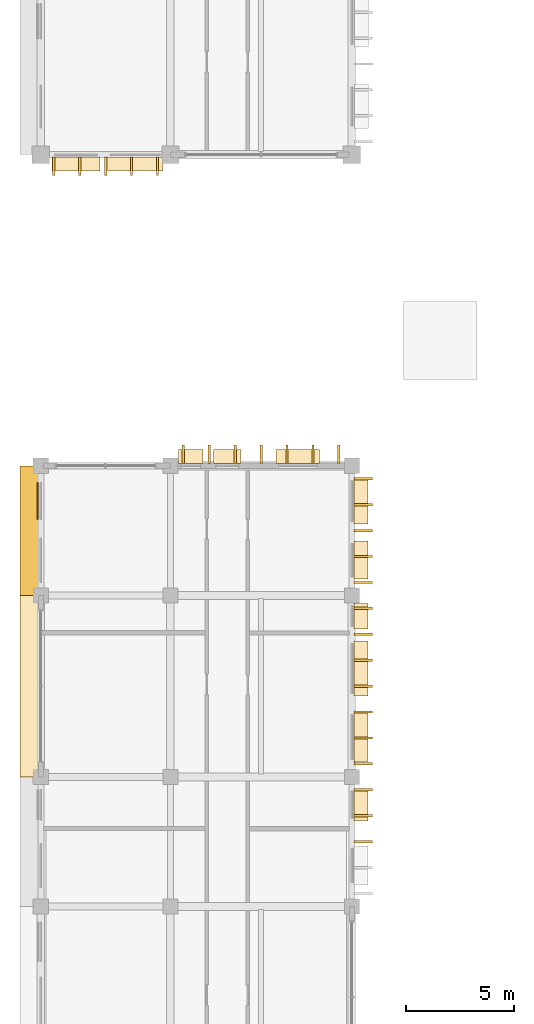
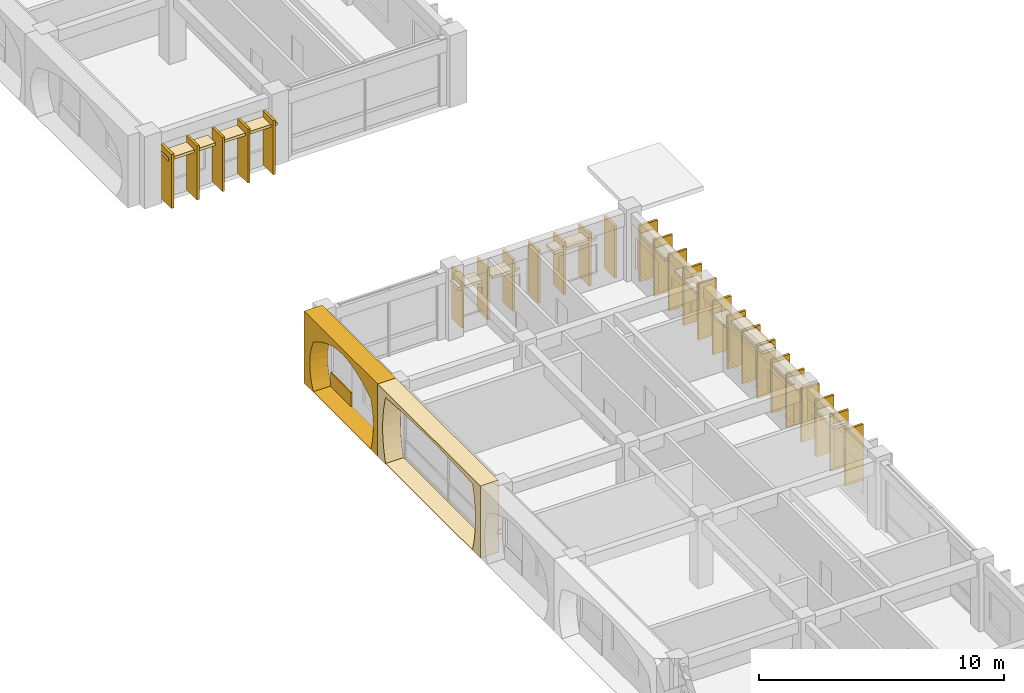
# One storey, part 72 of 88: 41 coverings.
"""IFC4 building model written with IfcOpenShell, lengths in metres."""

from ifc_helpers import new_model, si_unit, direction, frame, origin, origin_2d, place, context, subcontext, project, spatial, polyline, rectangle, outline, extrude, material, layer, layer_set, type_object, element, save


model = new_model("IFC4")

# Units and contexts
model_context = context("Model", 3, precision=1e-05, world=origin(), true_north=direction((0.0, 1.0)))
body_context = subcontext(model_context, "Body", "Model", "MODEL_VIEW")
ifc_project = project(units=[si_unit("LENGTHUNIT", "METRE"), si_unit("AREAUNIT", "SQUARE_METRE"), si_unit("VOLUMEUNIT", "CUBIC_METRE"), si_unit("PLANEANGLEUNIT", "RADIAN"), si_unit("MASSUNIT", "GRAM", prefix="KILO"), si_unit("THERMODYNAMICTEMPERATUREUNIT", "KELVIN")], contexts=[model_context])

# Site, building, storey
site_placement = place(None, origin())
site = spatial("IfcSite", under=ifc_project, at=site_placement, CompositionType="ELEMENT")
building_placement = place(site_placement, origin())
building = spatial("IfcBuilding", under=site, at=building_placement, Name="Thalorik Housing Commons", CompositionType="ELEMENT")
storey_placement = place(building_placement, frame((0.0, 0.0, 4.5)))
storey = spatial("IfcBuildingStorey", under=building, at=storey_placement, Name="L01", CompositionType="ELEMENT", Elevation=4.5)

# Coverings
ifc_material_1 = material(Name="Cobalt blue glazed ceramic facade tile panel", Category="masonry")
ifc_layer_1 = layer(ifc_material_1, 0.06005859375, Name="Cobalt blue glazed ceramic facade tile panel", Category="masonry")
ifc_layer_set_1 = layer_set([ifc_layer_1], Name="Cobalt blue glazed ceramic facade tile panel")
covering_type_1 = type_object("IfcCoveringType", Name="ARC-CLD-BLU-60", PredefinedType="CLADDING", material=ifc_layer_set_1)
covering_1_placement = place(storey_placement, frame((8.262451171875, 55.969970703125, 0.0498046875), z_axis=(0.0, 0.0, 1.0), x_axis=(0.0, -1.0, 0.0)))
element("IfcCovering", 1, at=covering_1_placement, inside=storey, type_object=covering_type_1, Name="L01 De Stijl Recessed Window Spandrel 3472", PredefinedType="CLADDING", context=body_context, shape_type="SweptSolid", body=[
    extrude(rectangle(XDim=1.679931640625, YDim=0.06005859375, at=origin_2d()), origin(), (0.0, 0.0, 1.0), 0.699951171875),
])
ifc_material_2 = material(Name="Precast concrete C40/50", Category="concrete")
ifc_layer_2 = layer(ifc_material_2, 0.85009765625, Name="Precast concrete C40/50", Category="concrete")
ifc_layer_set_2 = layer_set([ifc_layer_2], Name="Precast concrete C40/50")
covering_type_2 = type_object("IfcCoveringType", Name="ARC-CLD-CUSH-850", PredefinedType="CLADDING", material=ifc_layer_set_2)
covering_2_placement = place(storey_placement, frame((7.87255859375, 54.60009765625, 0.0), z_axis=(0.0, 0.0, 1.0), x_axis=(0.0, -1.0, 0.0)))
element("IfcCovering", 2, at=covering_2_placement, inside=storey, type_object=covering_type_2, Name="L01 White Precast Curved Cushion Bay Frame 3471", PredefinedType="CLADDING", context=body_context, shape_type="SweptSolid", body=[
    extrude(outline(polyline([(-3.0, 0.0), (3.0, 0.0), (3.0, 3.60009765625), (-3.0, 3.60009765625), (-3.0, 0.0)]), holes=[polyline([(2.43994140625, 0.02490234375), (2.55810546875, 0.4375), (2.629150390625, 0.85009765625), (2.65283203125, 1.262451171875), (2.629150390625, 1.675048828125), (2.55810546875, 2.08740234375), (2.43994140625, 2.5), (2.04833984375, 2.755615234375), (1.65673828125, 2.956298828125), (1.264892578125, 3.119140625), (0.873291015625, 3.239990234375), (0.481689453125, 3.314697265625), (0.090087890625, 3.340087890625), (-0.3017578125, 3.314697265625), (-0.693359375, 3.239990234375), (-1.0849609375, 3.119140625), (-1.476806640625, 2.956298828125), (-1.868408203125, 2.755615234375), (-2.260009765625, 2.5), (-2.421142578125, 2.08740234375), (-2.517822265625, 1.675048828125), (-2.550048828125, 1.262451171875), (-2.517822265625, 0.85009765625), (-2.421142578125, 0.4375), (-2.260009765625, 0.02490234375), (2.43994140625, 0.02490234375)])]), frame((0.0, 0.425048828125, 0.0), z_axis=(0.0, -1.0, 0.0), x_axis=(1.0, 0.0, 0.0)), (0.0, 0.0, 1.0), 0.85009765625),
])
covering_3_placement = place(storey_placement, frame((7.87255859375, 47.39990234375, 0.0), z_axis=(0.0, 0.0, 1.0), x_axis=(0.0, -1.0, 0.0)))
element("IfcCovering", 3, at=covering_3_placement, inside=storey, type_object=covering_type_2, Name="L01 White Precast Curved Cushion Bay Frame 3473", PredefinedType="CLADDING", context=body_context, shape_type="SweptSolid", body=[
    extrude(outline(polyline([(-4.199951171875, 0.0), (4.199951171875, 0.0), (4.199951171875, 3.60009765625), (-4.199951171875, 3.60009765625), (-4.199951171875, 0.0)]), holes=[polyline([(3.550048828125, 0.02490234375), (3.687255859375, 0.57421875), (3.76953125, 1.123291015625), (3.797119140625, 1.672607421875), (3.76953125, 2.2216796875), (3.687255859375, 2.770751953125), (3.550048828125, 3.320068359375), (2.958251953125, 3.362548828125), (2.36669921875, 3.39599609375), (1.77490234375, 3.423095703125), (1.183349609375, 3.443359375), (0.591796875, 3.455810546875), (0.0, 3.4599609375), (-0.591796875, 3.455810546875), (-1.183349609375, 3.443359375), (-1.77490234375, 3.423095703125), (-2.36669921875, 3.39599609375), (-2.958251953125, 3.362548828125), (-3.550048828125, 3.320068359375), (-3.687255859375, 2.770751953125), (-3.76953125, 2.2216796875), (-3.797119140625, 1.672607421875), (-3.76953125, 1.123291015625), (-3.687255859375, 0.57421875), (-3.550048828125, 0.02490234375), (3.550048828125, 0.02490234375)])]), frame((0.0, 0.425048828125, 0.0), z_axis=(0.0, -1.0, 0.0), x_axis=(1.0, 0.0, 0.0)), (0.0, 0.0, 1.0), 0.85009765625),
])
ifc_layer_3 = layer(ifc_material_2, 0.85009765625, Name="Precast concrete C40/50", Category="concrete")
ifc_layer_set_3 = layer_set([ifc_layer_3], Name="Precast concrete C40/50")
covering_type_3 = type_object("IfcCoveringType", Name="ARC-CLD-FIN-850", PredefinedType="CLADDING", material=ifc_layer_set_3)
for number, where, z_axis, x_axis, name in (
    (4, (9.0, 71.46240234375, 0.0400390625), (0.0, 0.0, 1.0), (1.0, 0.0, 0.0), "L01 Courtyard Precast Vertical Brise-Soleil Fin 81"),
    (5, (10.199951171875, 71.46240234375, 0.0400390625), (0.0, 0.0, 1.0), (1.0, 0.0, 0.0), "L01 Courtyard Precast Vertical Brise-Soleil Fin 82"),
    (6, (11.39990234375, 71.46240234375, 0.0400390625), (0.0, 0.0, 1.0), (1.0, 0.0, 0.0), "L01 Courtyard Precast Vertical Brise-Soleil Fin 83"),
    (7, (12.60009765625, 71.46240234375, 0.0400390625), (0.0, 0.0, 1.0), (1.0, 0.0, 0.0), "L01 Courtyard Precast Vertical Brise-Soleil Fin 84"),
    (8, (13.800048828125, 71.46240234375, 0.0400390625), (0.0, 0.0, 1.0), (1.0, 0.0, 0.0), "L01 Courtyard Precast Vertical Brise-Soleil Fin 85"),
):
    element("IfcCovering", number, at=place(storey_placement, frame(where, z_axis=z_axis, x_axis=x_axis)), inside=storey, type_object=covering_type_3, Name=name, PredefinedType="CLADDING", context=body_context, shape_type="SweptSolid", body=[
        extrude(rectangle(XDim=0.110107421875, YDim=0.85009765625, at=origin_2d()), origin(), (0.0, 0.0, 1.0), 2.695068359375),
    ])
for number, where, z_axis, x_axis, name in (
    (9, (23.327392578125, 40.199951171875, 0.0400390625), (0.0, 0.0, 1.0), (0.0, 1.0, 0.0), "L01 Courtyard Precast Vertical Brise-Soleil Fin 3439"),
    (10, (23.327392578125, 41.39990234375, 0.0400390625), (0.0, 0.0, 1.0), (0.0, 1.0, 0.0), "L01 Courtyard Precast Vertical Brise-Soleil Fin 3440"),
    (11, (23.327392578125, 42.60009765625, 0.0400390625), (0.0, 0.0, 1.0), (0.0, 1.0, 0.0), "L01 Courtyard Precast Vertical Brise-Soleil Fin 3441"),
):
    element("IfcCovering", number, at=place(storey_placement, frame(where, z_axis=z_axis, x_axis=x_axis)), inside=storey, type_object=covering_type_3, Name=name, PredefinedType="CLADDING", context=body_context, shape_type="SweptSolid", body=[
        extrude(rectangle(XDim=0.110107421875, YDim=0.85009765625, at=origin_2d()), origin(), (0.0, 0.0, 1.0), 2.794921875),
    ])
for number, where, z_axis, x_axis, name in (
    (12, (23.327392578125, 43.800048828125, 0.0400390625), (0.0, 0.0, 1.0), (0.0, 1.0, 0.0), "L01 Courtyard Precast Vertical Brise-Soleil Fin 3444"),
    (13, (23.327392578125, 45.0, 0.0400390625), (0.0, 0.0, 1.0), (0.0, 1.0, 0.0), "L01 Courtyard Precast Vertical Brise-Soleil Fin 3445"),
    (14, (23.327392578125, 46.199951171875, 0.0400390625), (0.0, 0.0, 1.0), (0.0, 1.0, 0.0), "L01 Courtyard Precast Vertical Brise-Soleil Fin 3446"),
    (15, (23.327392578125, 47.39990234375, 0.0400390625), (0.0, 0.0, 1.0), (0.0, 1.0, 0.0), "L01 Courtyard Precast Vertical Brise-Soleil Fin 3447"),
    (16, (23.327392578125, 48.60009765625, 0.0400390625), (0.0, 0.0, 1.0), (0.0, 1.0, 0.0), "L01 Courtyard Precast Vertical Brise-Soleil Fin 3448"),
    (17, (23.327392578125, 49.800048828125, 0.0400390625), (0.0, 0.0, 1.0), (0.0, 1.0, 0.0), "L01 Courtyard Precast Vertical Brise-Soleil Fin 3449"),
    (18, (23.327392578125, 51.0, 0.0400390625), (0.0, 0.0, 1.0), (0.0, 1.0, 0.0), "L01 Courtyard Precast Vertical Brise-Soleil Fin 3450"),
):
    element("IfcCovering", number, at=place(storey_placement, frame(where, z_axis=z_axis, x_axis=x_axis)), inside=storey, type_object=covering_type_3, Name=name, PredefinedType="CLADDING", context=body_context, shape_type="SweptSolid", body=[
        extrude(rectangle(XDim=0.110107421875, YDim=0.85009765625, at=origin_2d()), origin(), (0.0, 0.0, 1.0), 2.64501953125),
    ])
for number, where, z_axis, x_axis, name in (
    (19, (23.327392578125, 52.199951171875, 0.0400390625), (0.0, 0.0, 1.0), (0.0, 1.0, 0.0), "L01 Courtyard Precast Vertical Brise-Soleil Fin 3454"),
    (20, (23.327392578125, 53.39990234375, 0.0400390625), (0.0, 0.0, 1.0), (0.0, 1.0, 0.0), "L01 Courtyard Precast Vertical Brise-Soleil Fin 3455"),
    (21, (23.327392578125, 54.60009765625, 0.0400390625), (0.0, 0.0, 1.0), (0.0, 1.0, 0.0), "L01 Courtyard Precast Vertical Brise-Soleil Fin 3456"),
    (22, (23.327392578125, 55.800048828125, 0.0400390625), (0.0, 0.0, 1.0), (0.0, 1.0, 0.0), "L01 Courtyard Precast Vertical Brise-Soleil Fin 3457"),
    (23, (23.327392578125, 57.0, 0.0400390625), (0.0, 0.0, 1.0), (0.0, 1.0, 0.0), "L01 Courtyard Precast Vertical Brise-Soleil Fin 3458"),
):
    element("IfcCovering", number, at=place(storey_placement, frame(where, z_axis=z_axis, x_axis=x_axis)), inside=storey, type_object=covering_type_3, Name=name, PredefinedType="CLADDING", context=body_context, shape_type="SweptSolid", body=[
        extrude(rectangle(XDim=0.110107421875, YDim=0.85009765625, at=origin_2d()), origin(), (0.0, 0.0, 1.0), 2.794921875),
    ])
for number, where, z_axis, x_axis, name in (
    (24, (22.199951171875, 58.12744140625, 0.0400390625), (0.0, 0.0, 1.0), (-1.0, 0.0, 0.0), "L01 Courtyard Precast Vertical Brise-Soleil Fin 3461"),
    (25, (21.0, 58.12744140625, 0.0400390625), (0.0, 0.0, 1.0), (-1.0, 0.0, 0.0), "L01 Courtyard Precast Vertical Brise-Soleil Fin 3462"),
    (26, (19.800048828125, 58.12744140625, 0.0400390625), (0.0, 0.0, 1.0), (-1.0, 0.0, 0.0), "L01 Courtyard Precast Vertical Brise-Soleil Fin 3463"),
    (27, (18.60009765625, 58.12744140625, 0.0400390625), (0.0, 0.0, 1.0), (-1.0, 0.0, 0.0), "L01 Courtyard Precast Vertical Brise-Soleil Fin 3464"),
    (28, (17.39990234375, 58.12744140625, 0.0400390625), (0.0, 0.0, 1.0), (-1.0, 0.0, 0.0), "L01 Courtyard Precast Vertical Brise-Soleil Fin 3465"),
    (29, (16.199951171875, 58.12744140625, 0.0400390625), (0.0, 0.0, 1.0), (-1.0, 0.0, 0.0), "L01 Courtyard Precast Vertical Brise-Soleil Fin 3466"),
    (30, (15.0, 58.12744140625, 0.0400390625), (0.0, 0.0, 1.0), (-1.0, 0.0, 0.0), "L01 Courtyard Precast Vertical Brise-Soleil Fin 3467"),
):
    element("IfcCovering", number, at=place(storey_placement, frame(where, z_axis=z_axis, x_axis=x_axis)), inside=storey, type_object=covering_type_3, Name=name, PredefinedType="CLADDING", context=body_context, shape_type="SweptSolid", body=[
        extrude(rectangle(XDim=0.110107421875, YDim=0.85009765625, at=origin_2d()), origin(), (0.0, 0.0, 1.0), 2.594970703125),
    ])
ifc_layer_4 = layer(ifc_material_2, 0.64990234375, Name="Precast concrete C40/50", Category="concrete")
ifc_layer_set_4 = layer_set([ifc_layer_4], Name="Precast concrete C40/50")
covering_type_4 = type_object("IfcCoveringType", Name="ARC-CLD-HOOD-650", PredefinedType="CLADDING", material=ifc_layer_set_4)
covering_4_placement = place(storey_placement, frame((10.030029296875, 71.5625, 2.2900390625), z_axis=(0.0, 0.0, 1.0), x_axis=(1.0, 0.0, 0.0)))
element("IfcCovering", 31, at=covering_4_placement, inside=storey, type_object=covering_type_4, Name="L01 Courtyard Precast Window Sun-Hood 86", PredefinedType="CLADDING", context=body_context, shape_type="SweptSolid", body=[
    extrude(rectangle(XDim=2.219970703125, YDim=0.64990234375, at=origin_2d()), origin(), (0.0, 0.0, 1.0), 0.139892578125),
])
covering_5_placement = place(storey_placement, frame((12.77001953125, 71.5625, 2.2900390625), z_axis=(0.0, 0.0, 1.0), x_axis=(1.0, 0.0, 0.0)))
element("IfcCovering", 32, at=covering_5_placement, inside=storey, type_object=covering_type_4, Name="L01 Courtyard Precast Window Sun-Hood 87", PredefinedType="CLADDING", context=body_context, shape_type="SweptSolid", body=[
    extrude(rectangle(XDim=2.56005859375, YDim=0.64990234375, at=origin_2d()), origin(), (0.0, 0.0, 1.0), 0.139892578125),
])
covering_6_placement = place(storey_placement, frame((23.2275390625, 41.905029296875, 2.240234375), z_axis=(0.0, 0.0, 1.0), x_axis=(0.0, 1.0, 0.0)))
element("IfcCovering", 33, at=covering_6_placement, inside=storey, type_object=covering_type_4, Name="L01 Courtyard Precast Window Sun-Hood 3443", PredefinedType="CLADDING", context=body_context, shape_type="SweptSolid", body=[
    extrude(rectangle(XDim=1.489990234375, YDim=0.64990234375, at=origin_2d()), origin(), (0.0, 0.0, 1.0), 0.139892578125),
])
covering_7_placement = place(storey_placement, frame((23.2275390625, 45.044921875, 2.39013671875), z_axis=(0.0, 0.0, 1.0), x_axis=(0.0, 1.0, 0.0)))
element("IfcCovering", 34, at=covering_7_placement, inside=storey, type_object=covering_type_4, Name="L01 Courtyard Precast Window Sun-Hood 3451", PredefinedType="CLADDING", context=body_context, shape_type="SweptSolid", body=[
    extrude(rectangle(XDim=2.2900390625, YDim=0.64990234375, at=origin_2d()), origin(), (0.0, 0.0, 1.0), 0.139892578125),
])
covering_8_placement = place(storey_placement, frame((23.2275390625, 48.215087890625, 2.490234375), z_axis=(0.0, 0.0, 1.0), x_axis=(0.0, 1.0, 0.0)))
element("IfcCovering", 35, at=covering_8_placement, inside=storey, type_object=covering_type_4, Name="L01 Courtyard Precast Window Sun-Hood 3452", PredefinedType="CLADDING", context=body_context, shape_type="SweptSolid", body=[
    extrude(rectangle(XDim=2.5400390625, YDim=0.64990234375, at=origin_2d()), origin(), (0.0, 0.0, 1.0), 0.139892578125),
])
covering_9_placement = place(storey_placement, frame((23.2275390625, 50.639892578125, 1.93994140625), z_axis=(0.0, 0.0, 1.0), x_axis=(0.0, 1.0, 0.0)))
element("IfcCovering", 36, at=covering_9_placement, inside=storey, type_object=covering_type_4, Name="L01 Courtyard Precast Window Sun-Hood 3453", PredefinedType="CLADDING", context=body_context, shape_type="SweptSolid", body=[
    extrude(rectangle(XDim=1.18994140625, YDim=0.64990234375, at=origin_2d()), origin(), (0.0, 0.0, 1.0), 0.139892578125),
])
covering_10_placement = place(storey_placement, frame((23.2275390625, 53.22998046875, 2.2099609375), z_axis=(0.0, 0.0, 1.0), x_axis=(0.0, 1.0, 0.0)))
element("IfcCovering", 37, at=covering_10_placement, inside=storey, type_object=covering_type_4, Name="L01 Courtyard Precast Window Sun-Hood 3459", PredefinedType="CLADDING", context=body_context, shape_type="SweptSolid", body=[
    extrude(rectangle(XDim=1.760009765625, YDim=0.64990234375, at=origin_2d()), origin(), (0.0, 0.0, 1.0), 0.139892578125),
])
covering_11_placement = place(storey_placement, frame((23.2275390625, 55.969970703125, 2.31005859375), z_axis=(0.0, 0.0, 1.0), x_axis=(0.0, 1.0, 0.0)))
element("IfcCovering", 38, at=covering_11_placement, inside=storey, type_object=covering_type_4, Name="L01 Courtyard Precast Window Sun-Hood 3460", PredefinedType="CLADDING", context=body_context, shape_type="SweptSolid", body=[
    extrude(rectangle(XDim=2.1201171875, YDim=0.64990234375, at=origin_2d()), origin(), (0.0, 0.0, 1.0), 0.139892578125),
])
covering_12_placement = place(storey_placement, frame((20.294921875, 58.027587890625, 2.2099609375), z_axis=(0.0, 0.0, 1.0), x_axis=(-1.0, 0.0, 0.0)))
element("IfcCovering", 39, at=covering_12_placement, inside=storey, type_object=covering_type_4, Name="L01 Courtyard Precast Window Sun-Hood 3468", PredefinedType="CLADDING", context=body_context, shape_type="SweptSolid", body=[
    extrude(rectangle(XDim=2.02001953125, YDim=0.64990234375, at=origin_2d()), origin(), (0.0, 0.0, 1.0), 0.139892578125),
])
covering_13_placement = place(storey_placement, frame((17.030029296875, 58.027587890625, 1.990234375), z_axis=(0.0, 0.0, 1.0), x_axis=(-1.0, 0.0, 0.0)))
element("IfcCovering", 40, at=covering_13_placement, inside=storey, type_object=covering_type_4, Name="L01 Courtyard Precast Window Sun-Hood 3469", PredefinedType="CLADDING", context=body_context, shape_type="SweptSolid", body=[
    extrude(rectangle(XDim=1.2900390625, YDim=0.64990234375, at=origin_2d()), origin(), (0.0, 0.0, 1.0), 0.139892578125),
])
covering_14_placement = place(storey_placement, frame((15.3349609375, 58.027587890625, 1.990234375), z_axis=(0.0, 0.0, 1.0), x_axis=(-1.0, 0.0, 0.0)))
element("IfcCovering", 41, at=covering_14_placement, inside=storey, type_object=covering_type_4, Name="L01 Courtyard Precast Window Sun-Hood 3470", PredefinedType="CLADDING", context=body_context, shape_type="SweptSolid", body=[
    extrude(rectangle(XDim=1.139892578125, YDim=0.64990234375, at=origin_2d()), origin(), (0.0, 0.0, 1.0), 0.139892578125),
])

save(model, "model.ifc")
